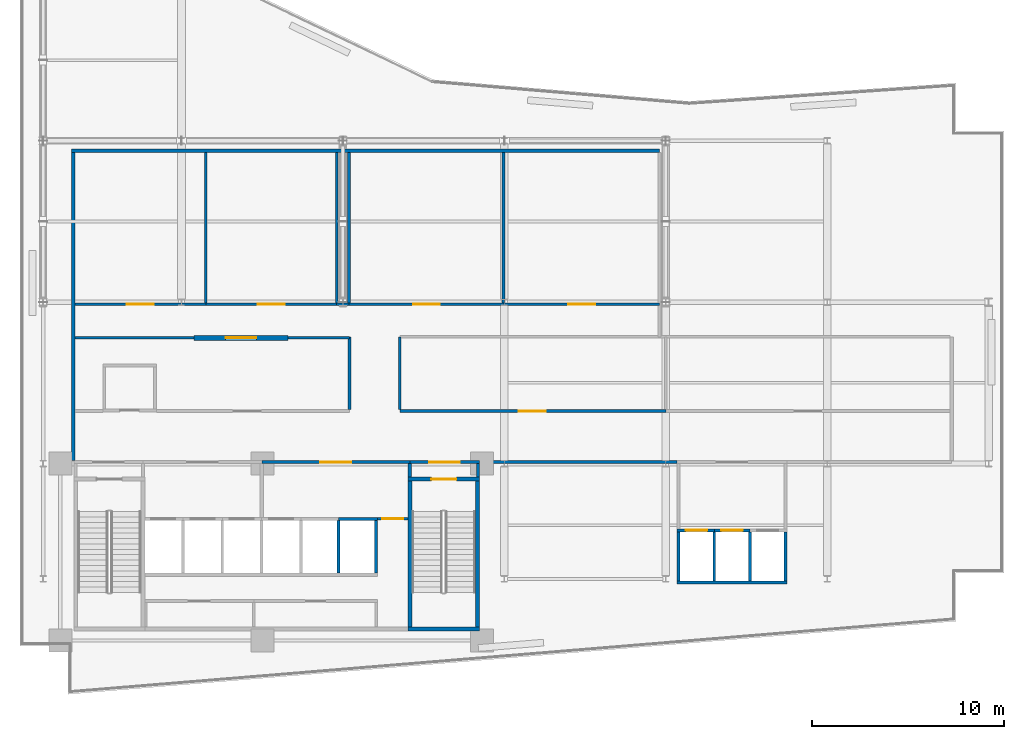
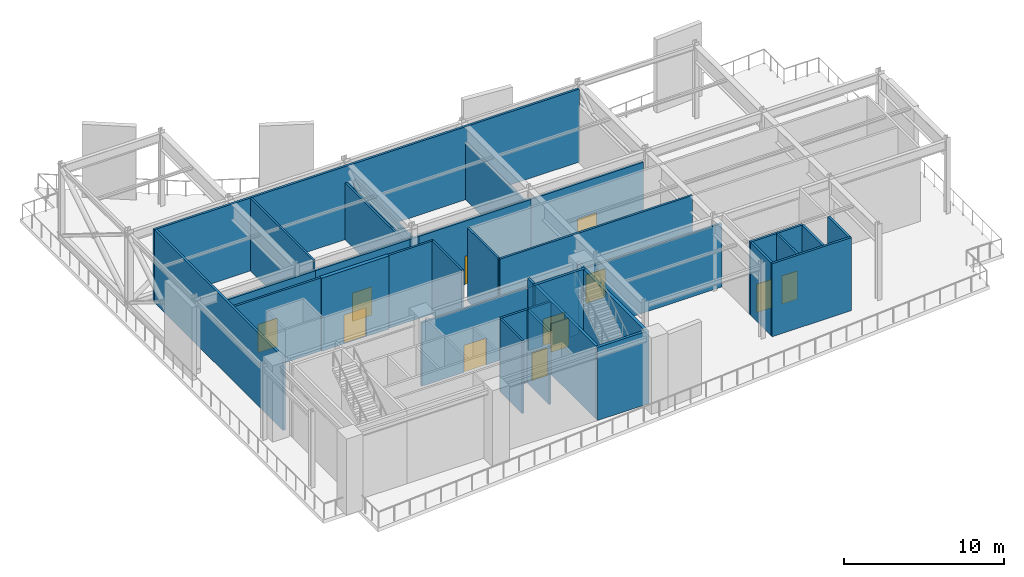
# One storey, part 8 of 13: 37 walls, 12 doors, 12 openings.
"""IFC4 building model written with IfcOpenShell, lengths in metres."""

from ifc_helpers import new_model, si_unit, direction, frame, frame_2d, origin, place, context, subcontext, project, spatial, rectangle, extrude, material, layer, layer_set, type_object, element, fill, save


model = new_model("IFC4")

# Units and contexts
model_context = context("Model", 3, precision=1e-05, world=origin(), true_north=direction((0.0, 1.0)))
body_context = subcontext(model_context, "Body", "Model", "MODEL_VIEW")
ifc_project = project(units=[si_unit("LENGTHUNIT", "METRE"), si_unit("AREAUNIT", "SQUARE_METRE"), si_unit("VOLUMEUNIT", "CUBIC_METRE"), si_unit("PLANEANGLEUNIT", "RADIAN"), si_unit("MASSUNIT", "GRAM", prefix="KILO")], contexts=[model_context])

# Site, building, storey
site_placement = place(None, origin())
site = spatial("IfcSite", under=ifc_project, at=site_placement, CompositionType="ELEMENT")
building_placement = place(site_placement, origin())
building = spatial("IfcBuilding", under=site, at=building_placement, Name="Varnakote Quay Hospital", CompositionType="ELEMENT")
storey_placement = place(building_placement, frame((0.0, 0.0, 174.449951171875)))
storey = spatial("IfcBuildingStorey", under=building, at=storey_placement, Name="L43", CompositionType="ELEMENT", Elevation=174.449951171875)

# Wall, opening, door
ifc_material_1 = material(Name="Fire-rated acoustic gypsum stud wall", Category="gypsum")
ifc_layer_1 = layer(ifc_material_1, 0.139892578125)
ifc_layer_set_1 = layer_set([ifc_layer_1], Name="Fire-rated acoustic gypsum stud wall")
wall_type_1 = type_object("IfcWallType", Name="WL-COMP-140", PredefinedType="PARTITIONING", material=ifc_layer_set_1)
wall_1_placement = place(storey_placement, frame((2.85009765625, 20.2900390625, 0.0), z_axis=(0.0, 0.0, 1.0), x_axis=(1.0, 0.0, 0.0)))
wall_1 = element("IfcWall", 1, at=wall_1_placement, inside=storey, type_object=wall_type_1, Name="L43 Central Chiller Mechanical Plant Corridor Wall", PredefinedType="PARTITIONING", context=body_context, shape_type="SweptSolid", body=[
    extrude(rectangle(XDim=6.829833984375, YDim=0.139892578125, at=frame_2d((3.4150390625, 0.0))), origin(), (0.0, 0.0, 1.0), 4.8349609375),
])
opening_1_placement = place(wall_1_placement, frame((2.715087890625, 0.0, 0.0)))
opening_1 = element("IfcOpeningElement", 2, at=opening_1_placement, cuts=wall_1, Name="Opening D-L43-CHIL", PredefinedType="OPENING", context=body_context, shape_type="SweptSolid", body=[
    extrude(rectangle(XDim=1.39990234375, YDim=2.14990234375, at=frame_2d((0.699951171875, 1.074951171875))), frame((0.0, 0.079833984375, 0.0), z_axis=(0.0, -1.0, 0.0), x_axis=(1.0, 0.0, 0.0)), (0.0, 0.0, 1.0), 0.159912109375),
])
ifc_material_2 = material(Name="Fire-rated acoustic plant room door")
door_type_1 = type_object("IfcDoorType", Name="DR-PLANT-FD60-1400x2150", OperationType="NOTDEFINED", PredefinedType="DOOR", material=ifc_material_2)
door_1_placement = place(opening_1_placement, origin())
door_1 = element("IfcDoor", 3, at=door_1_placement, inside=storey, type_object=door_type_1, Name="L43 Central Chiller Mechanical Plant Door", OperationType="SINGLE_SWING_RIGHT", OverallHeight=2.14990234375, OverallWidth=1.39990234375, PredefinedType="DOOR", context=body_context, shape_type="SweptSolid", body=[
    extrude(rectangle(XDim=1.39990234375, YDim=2.14990234375, at=frame_2d((0.699951171875, 1.074951171875))), frame((0.0, 0.02490234375, 0.0), z_axis=(0.0, -1.0, 0.0), x_axis=(1.0, 0.0, 0.0)), (0.0, 0.0, 1.0), 0.050048828125),
])
fill(opening_1, door_1)

wall_2_placement = place(storey_placement, frame((9.681884765625, 20.2900390625, 0.0), z_axis=(0.0, 0.0, 1.0), x_axis=(1.0, 0.0, 0.0)))
wall_2 = element("IfcWall", 4, at=wall_2_placement, inside=storey, type_object=wall_type_1, Name="L43 Clinical Air Handling Mechanical Plant Corridor Wall", PredefinedType="PARTITIONING", context=body_context, shape_type="SweptSolid", body=[
    extrude(rectangle(XDim=6.798095703125, YDim=0.139892578125, at=frame_2d((3.39892578125, 0.0))), origin(), (0.0, 0.0, 1.0), 4.8349609375),
])
opening_2_placement = place(wall_2_placement, frame((2.68798828125, 0.0, 0.0)))
opening_2 = element("IfcOpeningElement", 5, at=opening_2_placement, cuts=wall_2, Name="Opening D-L43-AHU1", PredefinedType="OPENING", context=body_context, shape_type="SweptSolid", body=[
    extrude(rectangle(XDim=1.39990234375, YDim=2.14990234375, at=frame_2d((0.699951171875, 1.074951171875))), frame((0.0, 0.079833984375, 0.0), z_axis=(0.0, -1.0, 0.0), x_axis=(1.0, 0.0, 0.0)), (0.0, 0.0, 1.0), 0.159912109375),
])
door_2_placement = place(opening_2_placement, origin())
door_2 = element("IfcDoor", 6, at=door_2_placement, inside=storey, type_object=door_type_1, Name="L43 Clinical Air Handling Mechanical Plant Door", OperationType="SINGLE_SWING_LEFT", OverallHeight=2.14990234375, OverallWidth=1.39990234375, PredefinedType="DOOR", context=body_context, shape_type="SweptSolid", body=[
    extrude(rectangle(XDim=1.39990234375, YDim=2.14990234375, at=frame_2d((0.699951171875, 1.074951171875))), frame((0.0, 0.02490234375, 0.0), z_axis=(0.0, -1.0, 0.0), x_axis=(1.0, 0.0, 0.0)), (0.0, 0.0, 1.0), 0.050048828125),
])
fill(opening_2, door_2)

# Wall
wall_3_placement = place(storey_placement, frame((16.47998046875, 20.2900390625, 0.0), z_axis=(0.0, 0.0, 1.0), x_axis=(1.0, 0.0, 0.0)))
element("IfcWall", 7, at=wall_3_placement, inside=storey, type_object=wall_type_1, Name="L43 Outrigger Bay Enclosure Wall", PredefinedType="PARTITIONING", context=body_context, shape_type="SweptSolid", body=[
    extrude(rectangle(XDim=0.64013671875, YDim=0.139892578125, at=frame_2d((0.320068359375, 0.0))), origin(), (0.0, 0.0, 1.0), 4.8349609375),
])

# Wall, opening, door
wall_4_placement = place(storey_placement, frame((17.1201171875, 20.2900390625, 0.0), z_axis=(0.0, 0.0, 1.0), x_axis=(1.0, 0.0, 0.0)))
wall_4 = element("IfcWall", 8, at=wall_4_placement, inside=storey, type_object=wall_type_1, Name="L43 Essential Standby Power Generator Plant Corridor Wall", PredefinedType="PARTITIONING", context=body_context, shape_type="SweptSolid", body=[
    extrude(rectangle(XDim=8.059814453125, YDim=0.139892578125, at=frame_2d((4.02978515625, 0.0))), origin(), (0.0, 0.0, 1.0), 4.8349609375),
])
opening_3_placement = place(wall_4_placement, frame((3.330078125, 0.0, 0.0)))
opening_3 = element("IfcOpeningElement", 9, at=opening_3_placement, cuts=wall_4, Name="Opening D-L43-STBY", PredefinedType="OPENING", context=body_context, shape_type="SweptSolid", body=[
    extrude(rectangle(XDim=1.39990234375, YDim=2.14990234375, at=frame_2d((0.699951171875, 1.074951171875))), frame((0.0, 0.079833984375, 0.0), z_axis=(0.0, -1.0, 0.0), x_axis=(1.0, 0.0, 0.0)), (0.0, 0.0, 1.0), 0.159912109375),
])
door_3_placement = place(opening_3_placement, origin())
door_3 = element("IfcDoor", 10, at=door_3_placement, inside=storey, type_object=door_type_1, Name="L43 Essential Standby Power Generator Plant Door", OperationType="SINGLE_SWING_RIGHT", OverallHeight=2.14990234375, OverallWidth=1.39990234375, PredefinedType="DOOR", context=body_context, shape_type="SweptSolid", body=[
    extrude(rectangle(XDim=1.39990234375, YDim=2.14990234375, at=frame_2d((0.699951171875, 1.074951171875))), frame((0.0, 0.02490234375, 0.0), z_axis=(0.0, -1.0, 0.0), x_axis=(1.0, 0.0, 0.0)), (0.0, 0.0, 1.0), 0.050048828125),
])
fill(opening_3, door_3)

wall_5_placement = place(storey_placement, frame((25.181884765625, 20.2900390625, 0.0), z_axis=(0.0, 0.0, 1.0), x_axis=(1.0, 0.0, 0.0)))
wall_5 = element("IfcWall", 11, at=wall_5_placement, inside=storey, type_object=wall_type_1, Name="L43 Hydraulic Break Tank & Fire Pump Plant Corridor Wall", PredefinedType="PARTITIONING", context=body_context, shape_type="SweptSolid", body=[
    extrude(rectangle(XDim=8.09814453125, YDim=0.139892578125, at=frame_2d((4.049072265625, 0.0))), origin(), (0.0, 0.0, 1.0), 4.8349609375),
])
opening_4_placement = place(wall_5_placement, frame((3.337890625, 0.0, 0.0)))
opening_4 = element("IfcOpeningElement", 12, at=opening_4_placement, cuts=wall_5, Name="Opening D-L43-PUMP", PredefinedType="OPENING", context=body_context, shape_type="SweptSolid", body=[
    extrude(rectangle(XDim=1.39990234375, YDim=2.14990234375, at=frame_2d((0.699951171875, 1.074951171875))), frame((0.0, 0.079833984375, 0.0), z_axis=(0.0, -1.0, 0.0), x_axis=(1.0, 0.0, 0.0)), (0.0, 0.0, 1.0), 0.159912109375),
])
door_4_placement = place(opening_4_placement, origin())
door_4 = element("IfcDoor", 13, at=door_4_placement, inside=storey, type_object=door_type_1, Name="L43 Hydraulic Break Tank & Fire Pump Plant Door", OperationType="SINGLE_SWING_LEFT", OverallHeight=2.14990234375, OverallWidth=1.39990234375, PredefinedType="DOOR", context=body_context, shape_type="SweptSolid", body=[
    extrude(rectangle(XDim=1.39990234375, YDim=2.14990234375, at=frame_2d((0.699951171875, 1.074951171875))), frame((0.0, 0.02490234375, 0.0), z_axis=(0.0, -1.0, 0.0), x_axis=(1.0, 0.0, 0.0)), (0.0, 0.0, 1.0), 0.050048828125),
])
fill(opening_4, door_4)

# Walls
ifc_material_3 = material(Name="Fire-rated acoustic gypsum stud wall", Category="gypsum")
ifc_layer_2 = layer(ifc_material_3, 0.14990234375)
ifc_layer_set_2 = layer_set([ifc_layer_2], Name="Fire-rated acoustic gypsum stud wall")
wall_type_2 = type_object("IfcWallType", Name="WL-COMP-150", PredefinedType="PARTITIONING", material=ifc_layer_set_2)
wall_6_placement = place(storey_placement, frame((17.139892578125, 14.81005859375, 0.0), z_axis=(0.0, 0.0, 1.0), x_axis=(0.0, 1.0, 0.0)))
element("IfcWall", 14, at=wall_6_placement, inside=storey, type_object=wall_type_2, Name="L43 West Refuge Link Wall", PredefinedType="PARTITIONING", context=body_context, shape_type="SweptSolid", body=[
    extrude(rectangle(XDim=3.7900390625, YDim=0.14990234375, at=frame_2d((1.89501953125, 0.0))), origin(), (0.0, 0.0, 1.0), 5.56005859375),
])
wall_7_placement = place(storey_placement, frame((2.85009765625, 18.550048828125, 0.0), z_axis=(0.0, 0.0, 1.0), x_axis=(1.0, 0.0, 0.0)))
element("IfcWall", 15, at=wall_7_placement, inside=storey, type_object=wall_type_2, Name="L43 West Refuge North-West Wall", PredefinedType="PARTITIONING", context=body_context, shape_type="SweptSolid", body=[
    extrude(rectangle(XDim=6.212890625, YDim=0.14990234375, at=frame_2d((3.1064453125, 0.0))), origin(), (0.0, 0.0, 1.0), 5.56005859375),
])
wall_8_placement = place(storey_placement, frame((13.93701171875, 18.550048828125, 0.0), z_axis=(0.0, 0.0, 1.0), x_axis=(1.0, 0.0, 0.0)))
element("IfcWall", 16, at=wall_8_placement, inside=storey, type_object=wall_type_2, Name="L43 West Refuge North-East Wall", PredefinedType="PARTITIONING", context=body_context, shape_type="SweptSolid", body=[
    extrude(rectangle(XDim=3.202880859375, YDim=0.14990234375, at=frame_2d((1.6015625, 0.0))), origin(), (0.0, 0.0, 1.0), 5.56005859375),
])
wall_9_placement = place(storey_placement, frame((19.760009765625, 14.81005859375, 0.0), z_axis=(0.0, 0.0, 1.0), x_axis=(0.0, 1.0, 0.0)))
element("IfcWall", 17, at=wall_9_placement, inside=storey, type_object=wall_type_2, Name="L43 Central Refuge Link Wall", PredefinedType="PARTITIONING", context=body_context, shape_type="SweptSolid", body=[
    extrude(rectangle(XDim=3.7900390625, YDim=0.14990234375, at=frame_2d((1.89501953125, 0.0))), origin(), (0.0, 0.0, 1.0), 5.56005859375),
])

# Wall, opening, door
wall_10_placement = place(storey_placement, frame((19.760009765625, 14.72998046875, 0.0), z_axis=(0.0, 0.0, 1.0), x_axis=(1.0, 0.0, 0.0)))
wall_10 = element("IfcWall", 18, at=wall_10_placement, inside=storey, type_object=wall_type_2, Name="L43 Central Refuge Corridor Wall", PredefinedType="PARTITIONING", context=body_context, shape_type="SweptSolid", body=[
    extrude(rectangle(XDim=13.840087890625, YDim=0.14990234375, at=frame_2d((6.919921875, 0.0))), origin(), (0.0, 0.0, 1.0), 5.56005859375),
])
opening_5_placement = place(wall_10_placement, frame((6.199951171875, 0.0, 0.0)))
opening_5 = element("IfcOpeningElement", 19, at=opening_5_placement, cuts=wall_10, Name="Opening D-REF2-L43", PredefinedType="OPENING", context=body_context, shape_type="SweptSolid", body=[
    extrude(rectangle(XDim=1.39990234375, YDim=2.14990234375, at=frame_2d((0.699951171875, 1.074951171875))), frame((0.0, 0.0849609375, 0.0), z_axis=(0.0, -1.0, 0.0), x_axis=(1.0, 0.0, 0.0)), (0.0, 0.0, 1.0), 0.169921875),
])
door_5_placement = place(opening_5_placement, origin())
door_5 = element("IfcDoor", 20, at=door_5_placement, inside=storey, type_object=door_type_1, Name="L43 Fire Refuge Holding Area Central Door", OperationType="SINGLE_SWING_RIGHT", OverallHeight=2.14990234375, OverallWidth=1.39990234375, PredefinedType="DOOR", context=body_context, shape_type="SweptSolid", body=[
    extrude(rectangle(XDim=1.39990234375, YDim=2.14990234375, at=frame_2d((0.699951171875, 1.074951171875))), frame((0.0, 0.02490234375, 0.0), z_axis=(0.0, -1.0, 0.0), x_axis=(1.0, 0.0, 0.0)), (0.0, 0.0, 1.0), 0.050048828125),
])
fill(opening_5, door_5)

ifc_material_4 = material(Name="Fire-rated acoustic gypsum stud wall", Category="gypsum")
ifc_layer_3 = layer(ifc_material_4, 0.159912109375)
ifc_layer_set_3 = layer_set([ifc_layer_3], Name="Fire-rated acoustic gypsum stud wall")
wall_type_3 = type_object("IfcWallType", Name="WL-COMP-160", PredefinedType="PARTITIONING", material=ifc_layer_set_3)
wall_11_placement = place(storey_placement, frame((12.580078125, 12.080078125, 0.0), z_axis=(0.0, 0.0, 1.0), x_axis=(1.0, 0.0, 0.0)))
wall_11 = element("IfcWall", 21, at=wall_11_placement, inside=storey, type_object=wall_type_3, Name="L43 Clinical Bed Lift Lobby Wall", PredefinedType="PARTITIONING", context=body_context, shape_type="SweptSolid", body=[
    extrude(rectangle(XDim=7.699951171875, YDim=0.159912109375, at=frame_2d((3.85009765625, 0.0))), origin(), (0.0, 0.0, 1.0), 4.8349609375),
])
opening_6_placement = place(wall_11_placement, frame((3.050048828125, 0.0, 0.0)))
opening_6 = element("IfcOpeningElement", 22, at=opening_6_placement, cuts=wall_11, Name="Opening D-SVL-L43", PredefinedType="OPENING", context=body_context, shape_type="SweptSolid", body=[
    extrude(rectangle(XDim=1.60009765625, YDim=2.050048828125, at=frame_2d((0.800048828125, 1.02490234375))), frame((0.0, 0.08984375, 0.0), z_axis=(0.0, -1.0, 0.0), x_axis=(1.0, 0.0, 0.0)), (0.0, 0.0, 1.0), 0.179931640625),
])
ifc_material_5 = material(Name="Fire-rated double smoke lobby door")
door_type_2 = type_object("IfcDoorType", Name="DR-LOBBY-FD60S-1600x2150", OperationType="NOTDEFINED", PredefinedType="DOOR", material=ifc_material_5)
door_6_placement = place(opening_6_placement, origin())
door_6 = element("IfcDoor", 23, at=door_6_placement, inside=storey, type_object=door_type_2, Name="L43 Clinical Core Smoke Vestibule Door", OperationType="DOUBLE_DOOR_SINGLE_SWING", OverallHeight=2.050048828125, OverallWidth=1.60009765625, PredefinedType="DOOR", context=body_context, shape_type="SweptSolid", body=[
    extrude(rectangle(XDim=1.60009765625, YDim=2.050048828125, at=frame_2d((0.800048828125, 1.02490234375))), frame((0.0, 0.02490234375, 0.0), z_axis=(0.0, -1.0, 0.0), x_axis=(1.0, 0.0, 0.0)), (0.0, 0.0, 1.0), 0.050048828125),
])
fill(opening_6, door_6)

# Wall
wall_12_placement = place(storey_placement, frame((20.280029296875, 11.300048828125, 0.0), z_axis=(0.0, 0.0, 1.0), x_axis=(0.0, 1.0, 0.0)))
element("IfcWall", 24, at=wall_12_placement, inside=storey, type_object=wall_type_3, Name="L43 East Stair Vestibule Divider Wall", PredefinedType="PARTITIONING", context=body_context, shape_type="SweptSolid", body=[
    extrude(rectangle(XDim=0.699951171875, YDim=0.159912109375, at=frame_2d((0.35009765625, 0.0))), origin(), (0.0, 0.0, 1.0), 5.56005859375),
])

# Wall, opening, door
wall_13_placement = place(storey_placement, frame((20.280029296875, 12.080078125, 0.0), z_axis=(0.0, 0.0, 1.0), x_axis=(1.0, 0.0, 0.0)))
wall_13 = element("IfcWall", 25, at=wall_13_placement, inside=storey, type_object=wall_type_3, Name="L43 East Stair Vestibule Smoke Wall", PredefinedType="PARTITIONING", context=body_context, shape_type="SweptSolid", body=[
    extrude(rectangle(XDim=3.619873046875, YDim=0.159912109375, at=frame_2d((1.81005859375, 0.0))), origin(), (0.0, 0.0, 1.0), 4.8349609375),
])
opening_7_placement = place(wall_13_placement, frame((1.010009765625, 0.0, 0.0)))
opening_7 = element("IfcOpeningElement", 26, at=opening_7_placement, cuts=wall_13, Name="Opening D-ST2L-L43", PredefinedType="OPENING", context=body_context, shape_type="SweptSolid", body=[
    extrude(rectangle(XDim=1.60009765625, YDim=2.050048828125, at=frame_2d((0.800048828125, 1.02490234375))), frame((0.0, 0.08984375, 0.0), z_axis=(0.0, -1.0, 0.0), x_axis=(1.0, 0.0, 0.0)), (0.0, 0.0, 1.0), 0.179931640625),
])
door_7_placement = place(opening_7_placement, origin())
door_7 = element("IfcDoor", 27, at=door_7_placement, inside=storey, type_object=door_type_2, Name="L43 East Stair Vestibule Smoke Door", OperationType="DOUBLE_DOOR_SINGLE_SWING", OverallHeight=2.050048828125, OverallWidth=1.60009765625, PredefinedType="DOOR", context=body_context, shape_type="SweptSolid", body=[
    extrude(rectangle(XDim=1.60009765625, YDim=2.050048828125, at=frame_2d((0.800048828125, 1.02490234375))), frame((0.0, 0.02490234375, 0.0), z_axis=(0.0, -1.0, 0.0), x_axis=(1.0, 0.0, 0.0)), (0.0, 0.0, 1.0), 0.050048828125),
])
fill(opening_7, door_7)

# Walls
wall_14_placement = place(storey_placement, frame((23.820068359375, 11.300048828125, 0.0), z_axis=(0.0, 0.0, 1.0), x_axis=(0.0, 1.0, 0.0)))
element("IfcWall", 28, at=wall_14_placement, inside=storey, type_object=wall_type_3, Name="L43 East Stair Vestibule East Wall", PredefinedType="PARTITIONING", context=body_context, shape_type="SweptSolid", body=[
    extrude(rectangle(XDim=0.699951171875, YDim=0.159912109375, at=frame_2d((0.35009765625, 0.0))), origin(), (0.0, 0.0, 1.0), 5.56005859375),
])
wall_15_placement = place(storey_placement, frame((2.77001953125, 12.159912109375, 0.0), z_axis=(0.0, 0.0, 1.0), x_axis=(0.0, 1.0, 0.0)))
element("IfcWall", 29, at=wall_15_placement, inside=storey, type_object=wall_type_3, Name="L43 Plant Block West Enclosure Wall", PredefinedType="PARTITIONING", context=body_context, shape_type="SweptSolid", body=[
    extrude(rectangle(XDim=16.0400390625, YDim=0.159912109375, at=frame_2d((8.02001953125, 0.0))), origin(), (0.0, 0.0, 1.0), 5.56005859375),
])
wall_16_placement = place(storey_placement, frame((2.68994140625, 28.280029296875, 0.0), z_axis=(0.0, 0.0, 1.0), x_axis=(1.0, 0.0, 0.0)))
element("IfcWall", 30, at=wall_16_placement, inside=storey, type_object=wall_type_3, Name="L43 Plant Block North Enclosure Wall", PredefinedType="PARTITIONING", context=body_context, shape_type="SweptSolid", body=[
    extrude(rectangle(XDim=30.590087890625, YDim=0.159912109375, at=frame_2d((15.294921875, 0.0))), origin(), (0.0, 0.0, 1.0), 5.56005859375),
])
wall_17_placement = place(storey_placement, frame((23.919921875, 12.080078125, 0.0), z_axis=(0.0, 0.0, 1.0), x_axis=(1.0, 0.0, 0.0)))
element("IfcWall", 31, at=wall_17_placement, inside=storey, type_object=wall_type_3, Name="L43 Plant Corridor South Gap Wall", PredefinedType="PARTITIONING", context=body_context, shape_type="SweptSolid", body=[
    extrude(rectangle(XDim=10.260009765625, YDim=0.159912109375, at=frame_2d((5.1298828125, 0.0))), origin(), (0.0, 0.0, 1.0), 4.8349609375),
])

# Wall, opening, door
ifc_material_6 = material(Name="Precast concrete N50 (f'c 50 MPa)", Category="concrete")
ifc_layer_4 = layer(ifc_material_6, 0.260009765625)
ifc_layer_set_4 = layer_set([ifc_layer_4], Name="Precast concrete N50 (f'c 50 MPa)")
wall_type_4 = type_object("IfcWallType", Name="WL-EXT-BRICK-260", PredefinedType="STANDARD", material=ifc_layer_set_4)
wall_18_placement = place(storey_placement, frame((9.06494140625, 18.550048828125, 0.0), z_axis=(0.0, 0.0, 1.0), x_axis=(1.0, 0.0, 0.0)))
wall_18 = element("IfcWall", 32, at=wall_18_placement, inside=storey, type_object=wall_type_4, Name="L43 Wind Deck Refuge Portal Wall", PredefinedType="STANDARD", context=body_context, shape_type="SweptSolid", body=[
    extrude(rectangle(XDim=4.8701171875, YDim=0.260009765625, at=frame_2d((2.43505859375, 0.0))), origin(), (0.0, 0.0, 1.0), 5.56005859375),
])
opening_8_placement = place(wall_18_placement, frame((1.635009765625, 0.0, 0.0)))
opening_8 = element("IfcOpeningElement", 33, at=opening_8_placement, cuts=wall_18, Name="Opening DE-WND-L43", PredefinedType="OPENING", context=body_context, shape_type="SweptSolid", body=[
    extrude(rectangle(XDim=1.60009765625, YDim=2.199951171875, at=frame_2d((0.800048828125, 1.10009765625))), frame((0.0, 0.139892578125, 0.0), z_axis=(0.0, -1.0, 0.0), x_axis=(1.0, 0.0, 0.0)), (0.0, 0.0, 1.0), 0.280029296875),
])
ifc_material_7 = material(Name="Galvanised steel acoustic exit door", Category="steel")
door_type_3 = type_object("IfcDoorType", Name="DR-EXT-EXIT-1600x2200", OperationType="NOTDEFINED", PredefinedType="DOOR", material=ifc_material_7)
door_8_placement = place(opening_8_placement, origin())
door_8 = element("IfcDoor", 34, at=door_8_placement, inside=storey, type_object=door_type_3, Name="L43 Open Wind Deck Refuge Door", OperationType="DOUBLE_DOOR_SINGLE_SWING", OverallHeight=2.199951171875, OverallWidth=1.60009765625, PredefinedType="DOOR", context=body_context, shape_type="SweptSolid", body=[
    extrude(rectangle(XDim=1.60009765625, YDim=2.199951171875, at=frame_2d((0.800048828125, 1.10009765625))), frame((0.0, 0.02490234375, 0.0), z_axis=(0.0, -1.0, 0.0), x_axis=(1.0, 0.0, 0.0)), (0.0, 0.0, 1.0), 0.050048828125),
])
fill(opening_8, door_8)

# Walls
ifc_material_8 = material(Name="Concrete N50 (f'c 50 MPa)", Category="concrete")
ifc_layer_5 = layer(ifc_material_8, 0.14990234375)
ifc_layer_set_5 = layer_set([ifc_layer_5], Name="Concrete N50 (f'c 50 MPa)")
wall_type_5 = type_object("IfcWallType", Name="WL-SHAFT-N50-150", PredefinedType="SHEAR", material=ifc_layer_set_5)
wall_19_placement = place(storey_placement, frame((16.574951171875, 6.300048828125, 0.0), z_axis=(0.0, 0.0, 1.0), x_axis=(0.0, 1.0, 0.0)))
element("IfcWall", 35, at=wall_19_placement, inside=storey, type_object=wall_type_5, Name="L43 LF-PH1 Hoistway Divider Wall", PredefinedType="SHEAR", context=body_context, shape_type="SweptSolid", body=[
    extrude(rectangle(XDim=2.75, YDim=0.14990234375, at=frame_2d((1.375, 0.0))), origin(), (0.0, 0.0, 1.0), 5.56005859375),
])
for number, where, z_axis, x_axis, name in (
    (36, (36.125, 5.89990234375, 0.0), (0.0, 0.0, 1.0), (0.0, 1.0, 0.0), "L43 LF-PM1 Hoistway Divider Wall"),
    (37, (37.97509765625, 5.89990234375, 0.0), (0.0, 0.0, 1.0), (0.0, 1.0, 0.0), "L43 LF-PM2 Hoistway Divider Wall"),
):
    element("IfcWall", number, at=place(storey_placement, frame(where, z_axis=z_axis, x_axis=x_axis)), inside=storey, type_object=wall_type_5, Name=name, PredefinedType="SHEAR", context=body_context, shape_type="SweptSolid", body=[
        extrude(rectangle(XDim=2.550048828125, YDim=0.14990234375, at=frame_2d((1.27490234375, 0.0))), origin(), (0.0, 0.0, 1.0), 5.56005859375),
    ])
ifc_material_9 = material(Name="Concrete N50 (f'c 50 MPa)", Category="concrete")
ifc_layer_6 = layer(ifc_material_9, 0.159912109375)
ifc_layer_set_6 = layer_set([ifc_layer_6], Name="Concrete N50 (f'c 50 MPa)")
wall_type_6 = type_object("IfcWallType", Name="WL-SHAFT-N50-160", PredefinedType="SHEAR", material=ifc_layer_set_6)
wall_20_placement = place(storey_placement, frame((18.530029296875, 6.300048828125, 0.0), z_axis=(0.0, 0.0, 1.0), x_axis=(0.0, 1.0, 0.0)))
element("IfcWall", 38, at=wall_20_placement, inside=storey, type_object=wall_type_6, Name="L43 REAR Lift Bank East Shear Wall", PredefinedType="SHEAR", context=body_context, shape_type="SweptSolid", body=[
    extrude(rectangle(XDim=2.75, YDim=0.159912109375, at=frame_2d((1.375, 0.0))), origin(), (0.0, 0.0, 1.0), 5.56005859375),
])
wall_21_placement = place(storey_placement, frame((16.574951171875, 9.1298828125, 0.0), z_axis=(0.0, 0.0, 1.0), x_axis=(1.0, 0.0, 0.0)))
element("IfcWall", 39, at=wall_21_placement, inside=storey, type_object=wall_type_6, Name="L43 LF-PH2 Hoistway Front Wall", PredefinedType="SHEAR", context=body_context, shape_type="SweptSolid", body=[
    extrude(rectangle(XDim=2.03515625, YDim=0.159912109375, at=frame_2d((1.017578125, 0.0))), origin(), (0.0, 0.0, 1.0), 5.56005859375),
])
wall_22_placement = place(storey_placement, frame((34.18994140625, 5.820068359375, 0.0), z_axis=(0.0, 0.0, 1.0), x_axis=(1.0, 0.0, 0.0)))
element("IfcWall", 40, at=wall_22_placement, inside=storey, type_object=wall_type_6, Name="L43 MID Lift Bank Back Shear Wall", PredefinedType="SHEAR", context=body_context, shape_type="SweptSolid", body=[
    extrude(rectangle(XDim=5.719970703125, YDim=0.159912109375, at=frame_2d((2.85986328125, 0.0))), origin(), (0.0, 0.0, 1.0), 5.56005859375),
])
for number, where, z_axis, x_axis, name in (
    (41, (34.27001953125, 5.89990234375, 0.0), (0.0, 0.0, 1.0), (0.0, 1.0, 0.0), "L43 MID Lift Bank West Shear Wall"),
    (42, (39.830078125, 5.89990234375, 0.0), (0.0, 0.0, 1.0), (0.0, 1.0, 0.0), "L43 MID Lift Bank East Shear Wall"),
):
    element("IfcWall", number, at=place(storey_placement, frame(where, z_axis=z_axis, x_axis=x_axis)), inside=storey, type_object=wall_type_6, Name=name, PredefinedType="SHEAR", context=body_context, shape_type="SweptSolid", body=[
        extrude(rectangle(XDim=2.550048828125, YDim=0.159912109375, at=frame_2d((1.27490234375, 0.0))), origin(), (0.0, 0.0, 1.0), 5.56005859375),
    ])

# Wall, opening, door
wall_23_placement = place(storey_placement, frame((34.18994140625, 8.530029296875, 0.0), z_axis=(0.0, 0.0, 1.0), x_axis=(1.0, 0.0, 0.0)))
wall_23 = element("IfcWall", 43, at=wall_23_placement, inside=storey, type_object=wall_type_6, Name="L43 LF-PM1 Hoistway Front Wall", PredefinedType="SHEAR", context=body_context, shape_type="SweptSolid", body=[
    extrude(rectangle(XDim=1.93505859375, YDim=0.159912109375, at=frame_2d((0.967529296875, 0.0))), origin(), (0.0, 0.0, 1.0), 5.56005859375),
])
opening_9_placement = place(wall_23_placement, frame((0.4599609375, 0.0, 0.0)))
opening_9 = element("IfcOpeningElement", 44, at=opening_9_placement, cuts=wall_23, Name="Opening LD-PM1-L43", PredefinedType="OPENING", context=body_context, shape_type="SweptSolid", body=[
    extrude(rectangle(XDim=1.10009765625, YDim=2.14990234375, at=frame_2d((0.550048828125, 1.074951171875))), frame((0.0, 0.08984375, 0.0), z_axis=(0.0, -1.0, 0.0), x_axis=(1.0, 0.0, 0.0)), (0.0, 0.0, 1.0), 0.179931640625),
])
ifc_material_10 = material(Name="Brushed bronze lift landing sliding door")
door_type_4 = type_object("IfcDoorType", Name="DR-LIFT-LD-1100x2150", OperationType="NOTDEFINED", PredefinedType="DOOR", material=ifc_material_10)
door_9_placement = place(opening_9_placement, origin())
door_9 = element("IfcDoor", 45, at=door_9_placement, inside=storey, type_object=door_type_4, Name="L43 LF-PM1 Lift Landing Sliding Door", OperationType="SLIDING_TO_LEFT", OverallHeight=2.14990234375, OverallWidth=1.10009765625, PredefinedType="DOOR", context=body_context, shape_type="SweptSolid", body=[
    extrude(rectangle(XDim=1.10009765625, YDim=2.14990234375, at=frame_2d((0.550048828125, 1.074951171875))), frame((0.0, 0.02490234375, 0.0), z_axis=(0.0, -1.0, 0.0), x_axis=(1.0, 0.0, 0.0)), (0.0, 0.0, 1.0), 0.050048828125),
])
fill(opening_9, door_9)

wall_24_placement = place(storey_placement, frame((36.125, 8.530029296875, 0.0), z_axis=(0.0, 0.0, 1.0), x_axis=(1.0, 0.0, 0.0)))
wall_24 = element("IfcWall", 46, at=wall_24_placement, inside=storey, type_object=wall_type_6, Name="L43 LF-PM2 Hoistway Front Wall", PredefinedType="SHEAR", context=body_context, shape_type="SweptSolid", body=[
    extrude(rectangle(XDim=1.85009765625, YDim=0.159912109375, at=frame_2d((0.925048828125, 0.0))), origin(), (0.0, 0.0, 1.0), 5.56005859375),
])
opening_10_placement = place(wall_24_placement, frame((0.375, 0.0, 0.0)))
opening_10 = element("IfcOpeningElement", 47, at=opening_10_placement, cuts=wall_24, Name="Opening LD-PM2-L43", PredefinedType="OPENING", context=body_context, shape_type="SweptSolid", body=[
    extrude(rectangle(XDim=1.10009765625, YDim=2.14990234375, at=frame_2d((0.550048828125, 1.074951171875))), frame((0.0, 0.08984375, 0.0), z_axis=(0.0, -1.0, 0.0), x_axis=(1.0, 0.0, 0.0)), (0.0, 0.0, 1.0), 0.179931640625),
])
door_10_placement = place(opening_10_placement, origin())
door_10 = element("IfcDoor", 48, at=door_10_placement, inside=storey, type_object=door_type_4, Name="L43 LF-PM2 Lift Landing Sliding Door", OperationType="SLIDING_TO_LEFT", OverallHeight=2.14990234375, OverallWidth=1.10009765625, PredefinedType="DOOR", context=body_context, shape_type="SweptSolid", body=[
    extrude(rectangle(XDim=1.10009765625, YDim=2.14990234375, at=frame_2d((0.550048828125, 1.074951171875))), frame((0.0, 0.02490234375, 0.0), z_axis=(0.0, -1.0, 0.0), x_axis=(1.0, 0.0, 0.0)), (0.0, 0.0, 1.0), 0.050048828125),
])
fill(opening_10, door_10)

# Walls
ifc_material_11 = material(Name="Concrete N50 (f'c 50 MPa)", Category="concrete")
ifc_layer_7 = layer(ifc_material_11, 0.199951171875)
ifc_layer_set_7 = layer_set([ifc_layer_7], Name="Concrete N50 (f'c 50 MPa)")
wall_type_7 = type_object("IfcWallType", Name="WL-SHAFT-N50-200", PredefinedType="SHEAR", material=ifc_layer_set_7)
wall_25_placement = place(storey_placement, frame((20.199951171875, 3.39990234375, 0.0), z_axis=(0.0, 0.0, 1.0), x_axis=(1.0, 0.0, 0.0)))
element("IfcWall", 49, at=wall_25_placement, inside=storey, type_object=wall_type_7, Name="L43 Stair ST2 South Shaft Wall", PredefinedType="SHEAR", context=body_context, shape_type="SweptSolid", body=[
    extrude(rectangle(XDim=3.699951171875, YDim=0.199951171875, at=frame_2d((1.85009765625, 0.0))), origin(), (0.0, 0.0, 1.0), 5.56005859375),
])
for number, where, z_axis, x_axis, name in (
    (50, (20.300048828125, 3.5, 0.0), (0.0, 0.0, 1.0), (0.0, 1.0, 0.0), "L43 Stair ST2 West Shaft Wall"),
    (51, (23.800048828125, 3.5, 0.0), (0.0, 0.0, 1.0), (0.0, 1.0, 0.0), "L43 Stair ST2 East Shaft Wall"),
):
    element("IfcWall", number, at=place(storey_placement, frame(where, z_axis=z_axis, x_axis=x_axis)), inside=storey, type_object=wall_type_7, Name=name, PredefinedType="SHEAR", context=body_context, shape_type="SweptSolid", body=[
        extrude(rectangle(XDim=7.60009765625, YDim=0.199951171875, at=frame_2d((3.800048828125, 0.0))), origin(), (0.0, 0.0, 1.0), 5.56005859375),
    ])

# Wall, opening, door
wall_26_placement = place(storey_placement, frame((20.199951171875, 11.199951171875, 0.0), z_axis=(0.0, 0.0, 1.0), x_axis=(1.0, 0.0, 0.0)))
wall_26 = element("IfcWall", 52, at=wall_26_placement, inside=storey, type_object=wall_type_7, Name="L43 Stair ST2 Exit Wall", PredefinedType="SHEAR", context=body_context, shape_type="SweptSolid", body=[
    extrude(rectangle(XDim=3.699951171875, YDim=0.199951171875, at=frame_2d((1.85009765625, 0.0))), origin(), (0.0, 0.0, 1.0), 5.56005859375),
])
opening_11_placement = place(wall_26_placement, frame((1.199951171875, 0.0, 0.0)))
opening_11 = element("IfcOpeningElement", 53, at=opening_11_placement, cuts=wall_26, Name="Opening D-ST2-L43", PredefinedType="OPENING", context=body_context, shape_type="SweptSolid", body=[
    extrude(rectangle(XDim=1.300048828125, YDim=2.14990234375, at=frame_2d((0.64990234375, 1.074951171875))), frame((0.0, 0.10986328125, 0.0), z_axis=(0.0, -1.0, 0.0), x_axis=(1.0, 0.0, 0.0)), (0.0, 0.0, 1.0), 0.219970703125),
])
ifc_material_12 = material(Name="Fire-rated ceramic-glazed timber exit door", Category="wood")
door_type_5 = type_object("IfcDoorType", Name="DR-STAIR-FD60S-1300x2150", OperationType="NOTDEFINED", PredefinedType="DOOR", material=ifc_material_12)
door_11_placement = place(opening_11_placement, origin())
door_11 = element("IfcDoor", 54, at=door_11_placement, inside=storey, type_object=door_type_5, Name="L43 Stair ST2 Fire Exit Door", OperationType="SINGLE_SWING_RIGHT", OverallHeight=2.14990234375, OverallWidth=1.300048828125, PredefinedType="DOOR", context=body_context, shape_type="SweptSolid", body=[
    extrude(rectangle(XDim=1.300048828125, YDim=2.14990234375, at=frame_2d((0.64990234375, 1.074951171875))), frame((0.0, 0.02490234375, 0.0), z_axis=(0.0, -1.0, 0.0), x_axis=(1.0, 0.0, 0.0)), (0.0, 0.0, 1.0), 0.050048828125),
])
fill(opening_11, door_11)

# Walls
ifc_material_13 = material(Name="Smoke-proof clinical partition", Category="gypsum")
ifc_layer_8 = layer(ifc_material_13, 0.135009765625)
ifc_layer_set_8 = layer_set([ifc_layer_8], Name="Smoke-proof clinical partition")
wall_type_8 = type_object("IfcWallType", Name="WL-SMOKE-135", PredefinedType="PARTITIONING", material=ifc_layer_set_8)
wall_27_placement = place(storey_placement, frame((9.659912109375, 20.360107421875, 0.0), z_axis=(0.0, 0.0, 1.0), x_axis=(0.0, 1.0, 0.0)))
element("IfcWall", 55, at=wall_27_placement, inside=storey, type_object=wall_type_8, Name="L43 Clinical Air Handling Mechanical Plant West Wall", PredefinedType="PARTITIONING", context=body_context, shape_type="SweptSolid", body=[
    extrude(rectangle(XDim=7.83984375, YDim=0.135009765625, at=frame_2d((3.919921875, 0.0))), origin(), (0.0, 0.0, 1.0), 5.56005859375),
])
for number, where, z_axis, x_axis, name in (
    (56, (16.47998046875, 20.360107421875, 0.0), (0.0, 0.0, 1.0), (0.0, 1.0, 0.0), "L43 Clinical Air Handling Mechanical Plant East Wall"),
    (57, (17.1201171875, 20.360107421875, 0.0), (0.0, 0.0, 1.0), (0.0, 1.0, 0.0), "L43 Essential Standby Power Generator Plant West Wall"),
    (58, (25.159912109375, 20.360107421875, 0.0), (0.0, 0.0, 1.0), (0.0, 1.0, 0.0), "L43 Hydraulic Break Tank & Fire Pump Plant West Wall"),
):
    element("IfcWall", number, at=place(storey_placement, frame(where, z_axis=z_axis, x_axis=x_axis)), inside=storey, type_object=wall_type_8, Name=name, PredefinedType="PARTITIONING", context=body_context, shape_type="SweptSolid", body=[
        extrude(rectangle(XDim=7.83984375, YDim=0.135009765625, at=frame_2d((3.919921875, 0.0))), origin(), (0.0, 0.0, 1.0), 4.324951171875),
    ])

# Wall, opening, door
ifc_material_14 = material(Name="Fire-rated clinical gypsum partition", Category="gypsum")
ifc_layer_9 = layer(ifc_material_14, 0.139892578125)
ifc_layer_set_9 = layer_set([ifc_layer_9], Name="Fire-rated clinical gypsum partition")
wall_type_9 = type_object("IfcWallType", Name="WL-WARD-140", PredefinedType="PARTITIONING", material=ifc_layer_set_9)
wall_28_placement = place(storey_placement, frame((18.610107421875, 9.1298828125, 0.0), z_axis=(0.0, 0.0, 1.0), x_axis=(1.0, 0.0, 0.0)))
wall_28 = element("IfcWall", 59, at=wall_28_placement, inside=storey, type_object=wall_type_9, Name="L43 Core Service Corridor North Door Wall", PredefinedType="PARTITIONING", context=body_context, shape_type="SweptSolid", body=[
    extrude(rectangle(XDim=1.58984375, YDim=0.139892578125, at=frame_2d((0.794921875, 0.0))), origin(), (0.0, 0.0, 1.0), 5.56005859375),
])
opening_12_placement = place(wall_28_placement, frame((0.239990234375, 0.0, 0.0)))
opening_12 = element("IfcOpeningElement", 60, at=opening_12_placement, cuts=wall_28, Name="Opening D-CSRV-L43", PredefinedType="OPENING", context=body_context, shape_type="SweptSolid", body=[
    extrude(rectangle(XDim=1.10009765625, YDim=2.10009765625, at=frame_2d((0.550048828125, 1.050048828125))), frame((0.0, 0.079833984375, 0.0), z_axis=(0.0, -1.0, 0.0), x_axis=(1.0, 0.0, 0.0)), (0.0, 0.0, 1.0), 0.159912109375),
])
ifc_material_15 = material(Name="Acoustic timber clinical consult door", Category="wood")
door_type_6 = type_object("IfcDoorType", Name="DR-CLIN-FD30S-1100x2100", OperationType="NOTDEFINED", PredefinedType="DOOR", material=ifc_material_15)
door_12_placement = place(opening_12_placement, origin())
door_12 = element("IfcDoor", 61, at=door_12_placement, inside=storey, type_object=door_type_6, Name="L43 Core Service Corridor Door", OperationType="SINGLE_SWING_LEFT", OverallHeight=2.10009765625, OverallWidth=1.10009765625, PredefinedType="DOOR", context=body_context, shape_type="SweptSolid", body=[
    extrude(rectangle(XDim=1.10009765625, YDim=2.10009765625, at=frame_2d((0.550048828125, 1.050048828125))), frame((0.0, 0.02490234375, 0.0), z_axis=(0.0, -1.0, 0.0), x_axis=(1.0, 0.0, 0.0)), (0.0, 0.0, 1.0), 0.050048828125),
])
fill(opening_12, door_12)

save(model, "model.ifc")
